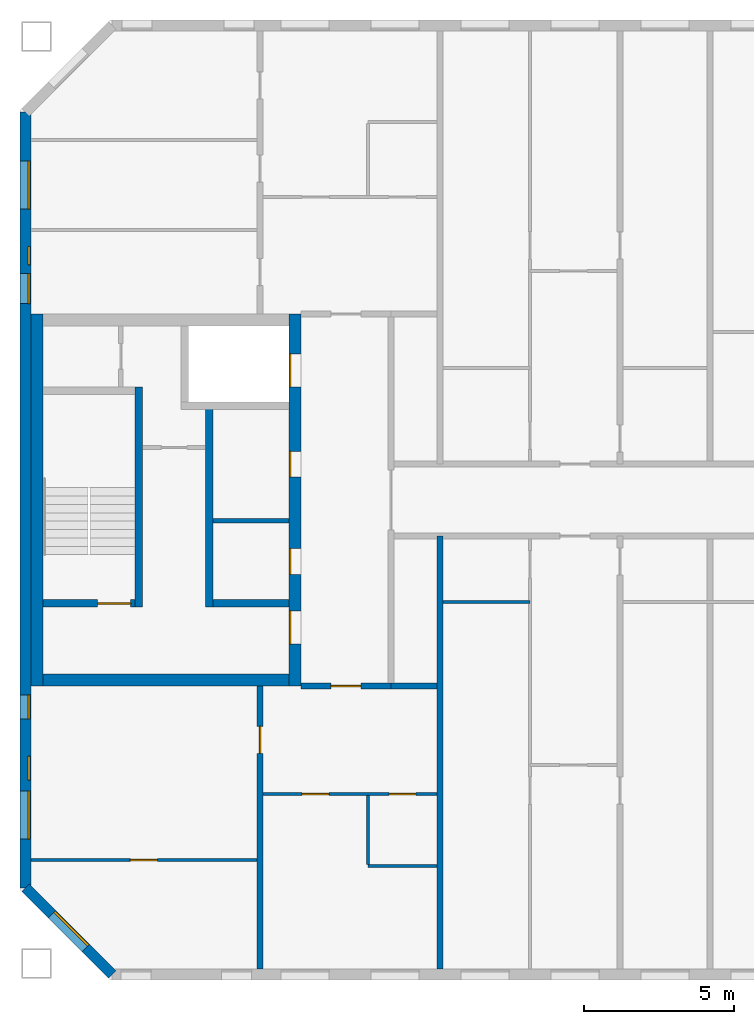
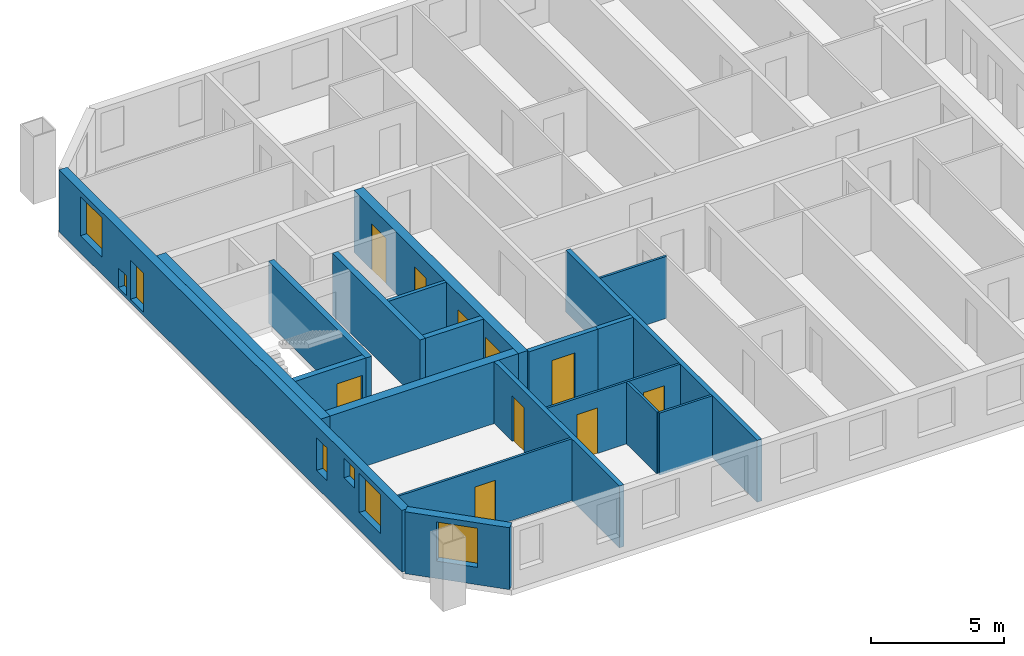
# One storey, part 4 of 19: 19 walls, 10 doors, 7 windows, 17 openings.
"""IFC4 building model written with IfcOpenShell, lengths in metres."""

import ifcopenshell
import ifcopenshell.guid

model = None  # the IFC model being written
_history = None  # IfcOwnerHistory: only IFC2X3 demands one
_inside = {}  # id of a spatial element -> (the spatial element, [elements in it])
_under = {}  # id of a project, library or spatial element -> (it, [spatial elements below it])
_declared = {}  # id of a project -> (the project, [libraries it declares])
_typed = {}  # id of a type object -> (the type object, [elements of that type])
_made_of = {}  # id of a material, layer set ... -> (it, [elements and type objects made of it])


def new_model(schema):
    """Start an empty IFC model of exactly this schema.

    Asked for "IFC4X3", IfcOpenShell would pick the latest addendum, in which some entities
    have other attributes; the version numbers below select the first issue.
    IFC2X3 requires an IfcOwnerHistory on every rooted entity: one is made here for all.
    """
    global model, _history
    if schema == "IFC4X3":
        model = ifcopenshell.file(schema_version=(4, 3, 0, 0))
    else:
        model = ifcopenshell.file(schema=schema)
    _inside.clear()
    _under.clear()
    _declared.clear()
    _typed.clear()
    _made_of.clear()
    _history = None
    if model.schema == "IFC2X3":
        org = make("IfcOrganization", Name="unknown")
        user = make(
            "IfcPersonAndOrganization",
            ThePerson=make("IfcPerson", FamilyName="unknown"),
            TheOrganization=org,
        )
        app = make(
            "IfcApplication",
            ApplicationDeveloper=org,
            Version="unknown",
            ApplicationFullName="unknown",
            ApplicationIdentifier="unknown",
        )
        _history = make(
            "IfcOwnerHistory",
            OwningUser=user,
            OwningApplication=app,
            ChangeAction="ADDED",
            CreationDate=0,
        )
    return model


def make(cls, **values):
    """One entity of the class cls with the attributes given. An attribute that is None is left unset."""
    return model.create_entity(
        cls, **{name: value for name, value in values.items() if value is not None}
    )


def rooted(cls, **values):
    """An entity with a GlobalId (a new one), such as an element, a storey or a relation."""
    return make(cls, GlobalId=ifcopenshell.guid.new(), OwnerHistory=_history, **values)


def si_unit(unit_type, name, prefix=None):
    """IfcSIUnit, for example si_unit("LENGTHUNIT", "METRE", prefix="MILLI")."""
    return make("IfcSIUnit", UnitType=unit_type, Prefix=prefix, Name=name)


def assignment(units):
    """IfcUnitAssignment: the units of a project."""
    return None if units is None else make("IfcUnitAssignment", Units=units)


def point(xyz):
    """IfcCartesianPoint."""
    return None if xyz is None else make("IfcCartesianPoint", Coordinates=xyz)


def direction(xyz):
    """IfcDirection."""
    return None if xyz is None else make("IfcDirection", DirectionRatios=xyz)


def frame(location, z_axis=None, x_axis=None):
    """IfcAxis2Placement3D, a coordinate frame: its origin and axes. An axis left out is left unset."""
    return make(
        "IfcAxis2Placement3D",
        Location=point(location),
        Axis=direction(z_axis),
        RefDirection=direction(x_axis),
    )


def frame_2d(location, x_axis=None):
    """IfcAxis2Placement2D, a coordinate frame in the plane: its origin and x axis."""
    return make(
        "IfcAxis2Placement2D", Location=point(location), RefDirection=direction(x_axis)
    )


def origin():
    """The frame at (0, 0, 0) with its axes left unset."""
    return frame((0.0, 0.0, 0.0))


def place(relative_to, where):
    """IfcLocalPlacement: puts the frame where relative to a parent placement (None: the world)."""
    return make(
        "IfcLocalPlacement", PlacementRelTo=relative_to, RelativePlacement=where
    )


def context(
    kind, dimensions, precision=None, world=None, true_north=None, identifier=None
):
    """IfcGeometricRepresentationContext, for example the 3D "Model" context."""
    return make(
        "IfcGeometricRepresentationContext",
        ContextIdentifier=identifier,
        ContextType=kind,
        CoordinateSpaceDimension=dimensions,
        Precision=precision,
        WorldCoordinateSystem=world,
        TrueNorth=true_north,
    )


def subcontext(parent, identifier, kind, view, scale=None):
    """IfcGeometricRepresentationSubContext, for example "Body" below "Model"."""
    return make(
        "IfcGeometricRepresentationSubContext",
        ContextIdentifier=identifier,
        ContextType=kind,
        ParentContext=parent,
        TargetScale=scale,
        TargetView=view,
    )


def project(units=None, contexts=None):
    """IfcProject with its units and contexts."""
    return rooted(
        "IfcProject",
        Name="project",
        RepresentationContexts=contexts,
        UnitsInContext=assignment(units),
    )


def spatial(cls, under=None, at=None, **own):
    """A site, building, storey or space (cls), placed at a placement, below another one or the project."""
    s = rooted(cls, ObjectPlacement=at, **own)
    if under is not None:
        _under.setdefault(under.id(), (under, []))[1].append(s)
    return s


def profile(cls, at=None, kind="AREA", **sizes):
    """A parametric profile (cls). Its sizes go by their IFC names, for example OverallWidth=200.0."""
    return make(cls, ProfileType=kind, Position=at, **sizes)


def rectangle(**sizes):
    """IfcRectangleProfileDef."""
    return profile("IfcRectangleProfileDef", **sizes)


def extrude(swept, where, along, depth):
    """IfcExtrudedAreaSolid: the profile swept, set in the frame where, extruded along a direction by depth."""
    return make(
        "IfcExtrudedAreaSolid",
        SweptArea=swept,
        Position=where,
        ExtrudedDirection=direction(along),
        Depth=depth,
    )


def shape(context_of_items, identifier, shape_type, items):
    """IfcShapeRepresentation: the items that make up one representation, for example the "Body"."""
    return make(
        "IfcShapeRepresentation",
        ContextOfItems=context_of_items,
        RepresentationIdentifier=identifier,
        RepresentationType=shape_type,
        Items=items,
    )


def material(Name=None, Category=None):
    """IfcMaterial."""
    return make("IfcMaterial", Name=Name, Category=Category)


def layer(
    of_material, thickness, ventilated=None, Name=None, Category=None, Priority=None
):
    """IfcMaterialLayer: one layer of a wall or slab, of a material (None: an air gap)."""
    return make(
        "IfcMaterialLayer",
        Material=of_material,
        LayerThickness=thickness,
        IsVentilated=ventilated,
        Name=Name,
        Category=Category,
        Priority=Priority,
    )


def layer_set(layers, Name=None):
    """IfcMaterialLayerSet."""
    return make("IfcMaterialLayerSet", MaterialLayers=layers, LayerSetName=Name)


def made_of(thing, what):
    """Note that an element or type object is made of a material, layer set ...; save() writes the relation."""
    if what is not None:
        _made_of.setdefault(what.id(), (what, []))[1].append(thing)
    return thing


def type_object(cls, material=None, **own):
    """A type object (cls), such as IfcWallType, which elements share."""
    return made_of(rooted(cls, **own), material)


def element(
    cls,
    number,
    at=None,
    inside=None,
    cuts=None,
    type_object=None,
    material=None,
    context=None,
    identifier="Body",
    shape_type=None,
    held_by="IfcProductDefinitionShape",
    body=None,
    shapes=None,
    **own,
):
    """One element of the class cls, such as IfcWall. Its Tag is "e" and its number.

    at: its placement. inside: the storey or other place that contains it. cuts: it is an
    opening in that element (IfcRelVoidsElement). A single representation is given by context,
    identifier, shape_type and body (its items); several are given by shapes. held_by: the class
    of the entity that holds the representations. save() writes the other relations.
    """
    e = rooted(cls, Tag="e%d" % number, ObjectPlacement=at, **own)
    if body is not None:
        shapes = [shape(context, identifier, shape_type, body)]
    if shapes is not None:
        e.Representation = make(held_by, Representations=shapes)
    if inside is not None:
        _inside.setdefault(inside.id(), (inside, []))[1].append(e)
    if cuts is not None:
        rooted(
            "IfcRelVoidsElement", RelatingBuildingElement=cuts, RelatedOpeningElement=e
        )
    if type_object is not None:
        _typed.setdefault(type_object.id(), (type_object, []))[1].append(e)
    return made_of(e, material)


def fill(opening, filler):
    """IfcRelFillsElement: the door or window that sits in an opening."""
    return rooted(
        "IfcRelFillsElement",
        RelatingOpeningElement=opening,
        RelatedBuildingElement=filler,
    )


def aggregate(whole, parts):
    """IfcRelAggregates: a whole, such as a stair, and the parts it consists of."""
    return rooted("IfcRelAggregates", RelatingObject=whole, RelatedObjects=parts)


def save(model, path):
    """Write the relations noted so far, then the file.

    IfcRelAggregates (storeys below a building ...), IfcRelContainedInSpatialStructure (elements
    in a storey), IfcRelDefinesByType, IfcRelAssociatesMaterial and IfcRelDeclares: one each for
    every whole, place, type object, material and project.
    """
    for whole, parts in _under.values():
        aggregate(whole, parts)
    for where, things in _inside.values():
        rooted(
            "IfcRelContainedInSpatialStructure",
            RelatedElements=things,
            RelatingStructure=where,
        )
    for kind, things in _typed.values():
        rooted("IfcRelDefinesByType", RelatedObjects=things, RelatingType=kind)
    for what, things in _made_of.values():
        rooted("IfcRelAssociatesMaterial", RelatedObjects=things, RelatingMaterial=what)
    for by, libraries in _declared.values():
        rooted("IfcRelDeclares", RelatingContext=by, RelatedDefinitions=libraries)
    model.write(path)


model = new_model("IFC4")

# Units and contexts
model_context = context("Model", 3, precision=1e-05, world=origin(), true_north=direction((0.0, 1.0)))
body_context = subcontext(model_context, "Body", "Model", "MODEL_VIEW")
ifc_project = project(units=[si_unit("LENGTHUNIT", "METRE"), si_unit("AREAUNIT", "SQUARE_METRE"), si_unit("VOLUMEUNIT", "CUBIC_METRE"), si_unit("PLANEANGLEUNIT", "RADIAN"), si_unit("MASSUNIT", "GRAM", prefix="KILO")], contexts=[model_context])

# Site, building, storey
site_placement = place(None, origin())
site = spatial("IfcSite", under=ifc_project, at=site_placement, CompositionType="ELEMENT")
building_placement = place(site_placement, origin())
building = spatial("IfcBuilding", under=site, at=building_placement, Name="Tuart Gate Housing", CompositionType="ELEMENT")
storey_placement = place(building_placement, frame((0.0, 0.0, 209.0)))
storey = spatial("IfcBuildingStorey", under=building, at=storey_placement, Name="L59", CompositionType="ELEMENT", Elevation=209.0)

# Wall, opening, window
ifc_material_1 = material(Name="Brick", Category="masonry")
ifc_layer_1 = layer(ifc_material_1, 0.360107421875)
ifc_layer_set_1 = layer_set([ifc_layer_1], Name="Brick pier and spandrel wall 360")
wall_type_1 = type_object("IfcWallType", Name="Brick pier and spandrel wall 360", PredefinedType="STANDARD", material=ifc_layer_set_1)
wall_1_placement = place(storey_placement, frame((32.179931640625, 57.07470703125, 0.0), z_axis=(0.0, 0.0, 1.0), x_axis=(0.707106781187, -0.707106781187, 0.0)))
wall_1 = element("IfcWall", 1, at=wall_1_placement, inside=storey, type_object=wall_type_1, Name="External wall BLK-SW L59", PredefinedType="STANDARD", context=body_context, shape_type="SweptSolid", body=[
    extrude(rectangle(XDim=4.09375, YDim=0.360107421875, at=frame_2d((2.046875, 0.0))), origin(), (0.0, 0.0, 1.0), 2.85009765625),
])
opening_1_placement = place(wall_1_placement, frame((1.2470703125, 0.0, 0.800048828125)))
opening_1 = element("IfcOpeningElement", 2, at=opening_1_placement, cuts=wall_1, Name="Opening W1", PredefinedType="OPENING", context=body_context, shape_type="SweptSolid", body=[
    extrude(rectangle(XDim=1.60009765625, YDim=1.800048828125, at=frame_2d((0.800048828125, 0.89990234375))), frame((0.0, 0.18994140625, 0.0), z_axis=(0.0, -1.0, 0.0), x_axis=(1.0, 0.0, 0.0)), (0.0, 0.0, 1.0), 0.380126953125),
])
ifc_material_2 = material(Name="Aluminium frame with clear glass", Category="aluminium")
window_type_1 = type_object("IfcWindowType", Name="Punched window 1600 x 1800", PartitioningType="SINGLE_PANEL", PredefinedType="WINDOW", material=ifc_material_2)
window_1_placement = place(opening_1_placement, origin())
window_1 = element("IfcWindow", 3, at=window_1_placement, inside=storey, type_object=window_type_1, Name="Window W1", OverallHeight=1.800048828125, OverallWidth=1.60009765625, PartitioningType="SINGLE_PANEL", PredefinedType="WINDOW", context=body_context, shape_type="SweptSolid", body=[
    extrude(rectangle(XDim=1.60009765625, YDim=1.800048828125, at=frame_2d((0.800048828125, 0.89990234375))), frame((0.0, 0.150146484375, 0.0), z_axis=(0.0, -1.0, 0.0), x_axis=(1.0, 0.0, 0.0)), (0.0, 0.0, 1.0), 0.06005859375),
])
fill(opening_1, window_1)

# Wall, openings, windows
wall_2_placement = place(storey_placement, frame((32.179931640625, 82.92529296875, 0.0), z_axis=(0.0, 0.0, 1.0), x_axis=(0.0, -1.0, 0.0)))
wall_2 = element("IfcWall", 4, at=wall_2_placement, inside=storey, type_object=wall_type_1, Name="External wall BLK-W L59", PredefinedType="STANDARD", context=body_context, shape_type="SweptSolid", body=[
    extrude(rectangle(XDim=25.850830078125, YDim=0.360107421875, at=frame_2d((12.92529296875, 0.0))), origin(), (0.0, 0.0, 1.0), 2.85009765625),
])
opening_2_placement = place(wall_2_placement, frame((1.62548828125, 0.0, 0.800048828125)))
opening_2 = element("IfcOpeningElement", 5, at=opening_2_placement, cuts=wall_2, Name="Opening W1", PredefinedType="OPENING", context=body_context, shape_type="SweptSolid", body=[
    extrude(rectangle(XDim=1.60009765625, YDim=1.800048828125, at=frame_2d((0.800048828125, 0.89990234375))), frame((0.0, 0.18994140625, 0.0), z_axis=(0.0, -1.0, 0.0), x_axis=(1.0, 0.0, 0.0)), (0.0, 0.0, 1.0), 0.380126953125),
])
opening_3_placement = place(wall_2_placement, frame((4.475341796875, 0.0, 0.14990234375)))
opening_3 = element("IfcOpeningElement", 6, at=opening_3_placement, cuts=wall_2, Name="Opening W1W", PredefinedType="OPENING", context=body_context, shape_type="SweptSolid", body=[
    extrude(rectangle(XDim=0.60009765625, YDim=0.89990234375, at=frame_2d((0.300048828125, 0.449951171875))), frame((0.0, 0.18994140625, 0.0), z_axis=(0.0, -1.0, 0.0), x_axis=(1.0, 0.0, 0.0)), (0.0, 0.0, 1.0), 0.380126953125),
])
opening_4_placement = place(wall_2_placement, frame((19.42529296875, 0.0, 0.800048828125)))
opening_4 = element("IfcOpeningElement", 7, at=opening_4_placement, cuts=wall_2, Name="Opening W1J", PredefinedType="OPENING", context=body_context, shape_type="SweptSolid", body=[
    extrude(rectangle(XDim=0.800048828125, YDim=1.5, at=frame_2d((0.39990234375, 0.75))), frame((0.0, 0.18994140625, 0.0), z_axis=(0.0, -1.0, 0.0), x_axis=(1.0, 0.0, 0.0)), (0.0, 0.0, 1.0), 0.380126953125),
])
opening_5_placement = place(wall_2_placement, frame((22.62548828125, 0.0, 0.800048828125)))
opening_5 = element("IfcOpeningElement", 8, at=opening_5_placement, cuts=wall_2, Name="Opening W1", PredefinedType="OPENING", context=body_context, shape_type="SweptSolid", body=[
    extrude(rectangle(XDim=1.60009765625, YDim=1.800048828125, at=frame_2d((0.800048828125, 0.89990234375))), frame((0.0, 0.18994140625, 0.0), z_axis=(0.0, -1.0, 0.0), x_axis=(1.0, 0.0, 0.0)), (0.0, 0.0, 1.0), 0.380126953125),
])
opening_6_placement = place(wall_2_placement, frame((5.37548828125, 0.0, 0.14990234375)))
opening_6 = element("IfcOpeningElement", 9, at=opening_6_placement, cuts=wall_2, Name="Opening W1C", PredefinedType="OPENING", context=body_context, shape_type="SweptSolid", body=[
    extrude(rectangle(XDim=1.0, YDim=1.800048828125, at=frame_2d((0.5, 0.89990234375))), frame((0.0, 0.18994140625, 0.0), z_axis=(0.0, -1.0, 0.0), x_axis=(1.0, 0.0, 0.0)), (0.0, 0.0, 1.0), 0.380126953125),
])
opening_7_placement = place(wall_2_placement, frame((21.475341796875, 0.0, 1.699951171875)))
opening_7 = element("IfcOpeningElement", 10, at=opening_7_placement, cuts=wall_2, Name="Opening W1V", PredefinedType="OPENING", context=body_context, shape_type="SweptSolid", body=[
    extrude(rectangle(XDim=0.800048828125, YDim=0.89990234375, at=frame_2d((0.39990234375, 0.449951171875))), frame((0.0, 0.18994140625, 0.0), z_axis=(0.0, -1.0, 0.0), x_axis=(1.0, 0.0, 0.0)), (0.0, 0.0, 1.0), 0.380126953125),
])
ifc_material_3 = material(Name="Aluminium frame with clear glass", Category="aluminium")
window_type_2 = type_object("IfcWindowType", Name="Punched window 1000 x 1800", PartitioningType="SINGLE_PANEL", PredefinedType="WINDOW", material=ifc_material_3)
window_2_placement = place(opening_6_placement, origin())
window_2 = element("IfcWindow", 11, at=window_2_placement, inside=storey, type_object=window_type_2, Name="Window W1C", OverallHeight=1.800048828125, OverallWidth=1.0, PartitioningType="SINGLE_PANEL", PredefinedType="WINDOW", context=body_context, shape_type="SweptSolid", body=[
    extrude(rectangle(XDim=1.0, YDim=1.800048828125, at=frame_2d((0.5, 0.89990234375))), frame((0.0, 0.150146484375, 0.0), z_axis=(0.0, -1.0, 0.0), x_axis=(1.0, 0.0, 0.0)), (0.0, 0.0, 1.0), 0.06005859375),
])
fill(opening_6, window_2)
window_3_placement = place(opening_2_placement, origin())
window_3 = element("IfcWindow", 12, at=window_3_placement, inside=storey, type_object=window_type_1, Name="Window W1", OverallHeight=1.800048828125, OverallWidth=1.60009765625, PartitioningType="SINGLE_PANEL", PredefinedType="WINDOW", context=body_context, shape_type="SweptSolid", body=[
    extrude(rectangle(XDim=1.60009765625, YDim=1.800048828125, at=frame_2d((0.800048828125, 0.89990234375))), frame((0.0, 0.150146484375, 0.0), z_axis=(0.0, -1.0, 0.0), x_axis=(1.0, 0.0, 0.0)), (0.0, 0.0, 1.0), 0.06005859375),
])
fill(opening_2, window_3)
window_4_placement = place(opening_5_placement, origin())
window_4 = element("IfcWindow", 13, at=window_4_placement, inside=storey, type_object=window_type_1, Name="Window W1", OverallHeight=1.800048828125, OverallWidth=1.60009765625, PartitioningType="SINGLE_PANEL", PredefinedType="WINDOW", context=body_context, shape_type="SweptSolid", body=[
    extrude(rectangle(XDim=1.60009765625, YDim=1.800048828125, at=frame_2d((0.800048828125, 0.89990234375))), frame((0.0, 0.150146484375, 0.0), z_axis=(0.0, -1.0, 0.0), x_axis=(1.0, 0.0, 0.0)), (0.0, 0.0, 1.0), 0.06005859375),
])
fill(opening_5, window_4)
ifc_material_4 = material(Name="Aluminium frame with clear glass", Category="aluminium")
window_type_3 = type_object("IfcWindowType", Name="Punched window 600 x 900", PartitioningType="SINGLE_PANEL", PredefinedType="WINDOW", material=ifc_material_4)
window_5_placement = place(opening_3_placement, origin())
window_5 = element("IfcWindow", 14, at=window_5_placement, inside=storey, type_object=window_type_3, Name="Window W1W", OverallHeight=0.89990234375, OverallWidth=0.60009765625, PartitioningType="SINGLE_PANEL", PredefinedType="WINDOW", context=body_context, shape_type="SweptSolid", body=[
    extrude(rectangle(XDim=0.60009765625, YDim=0.89990234375, at=frame_2d((0.300048828125, 0.449951171875))), frame((0.0, 0.150146484375, 0.0), z_axis=(0.0, -1.0, 0.0), x_axis=(1.0, 0.0, 0.0)), (0.0, 0.0, 1.0), 0.06005859375),
])
fill(opening_3, window_5)
ifc_material_5 = material(Name="Aluminium frame with clear glass", Category="aluminium")
window_type_4 = type_object("IfcWindowType", Name="Punched window 800 x 1500", PartitioningType="SINGLE_PANEL", PredefinedType="WINDOW", material=ifc_material_5)
window_6_placement = place(opening_4_placement, origin())
window_6 = element("IfcWindow", 15, at=window_6_placement, inside=storey, type_object=window_type_4, Name="Window W1J", OverallHeight=1.5, OverallWidth=0.800048828125, PartitioningType="SINGLE_PANEL", PredefinedType="WINDOW", context=body_context, shape_type="SweptSolid", body=[
    extrude(rectangle(XDim=0.800048828125, YDim=1.5, at=frame_2d((0.39990234375, 0.75))), frame((0.0, 0.150146484375, 0.0), z_axis=(0.0, -1.0, 0.0), x_axis=(1.0, 0.0, 0.0)), (0.0, 0.0, 1.0), 0.06005859375),
])
fill(opening_4, window_6)
ifc_material_6 = material(Name="Aluminium frame with clear glass", Category="aluminium")
window_type_5 = type_object("IfcWindowType", Name="Punched window 800 x 900", PartitioningType="SINGLE_PANEL", PredefinedType="WINDOW", material=ifc_material_6)
window_7_placement = place(opening_7_placement, origin())
window_7 = element("IfcWindow", 16, at=window_7_placement, inside=storey, type_object=window_type_5, Name="Window W1V", OverallHeight=0.89990234375, OverallWidth=0.800048828125, PartitioningType="SINGLE_PANEL", PredefinedType="WINDOW", context=body_context, shape_type="SweptSolid", body=[
    extrude(rectangle(XDim=0.800048828125, YDim=0.89990234375, at=frame_2d((0.39990234375, 0.449951171875))), frame((0.0, 0.150146484375, 0.0), z_axis=(0.0, -1.0, 0.0), x_axis=(1.0, 0.0, 0.0)), (0.0, 0.0, 1.0), 0.06005859375),
])
fill(opening_7, window_7)

# Walls
ifc_material_7 = material(Name="Plasterboard partition")
ifc_layer_2 = layer(ifc_material_7, 0.14990234375)
ifc_layer_set_2 = layer_set([ifc_layer_2], Name="Core partition 150")
wall_type_2 = type_object("IfcWallType", Name="Core partition 150", PredefinedType="PARTITIONING", material=ifc_layer_set_2)
wall_3_placement = place(storey_placement, frame((40.9599609375, 69.300048828125, 0.0), z_axis=(0.0, 0.0, 1.0), x_axis=(-1.0, 0.0, 0.0)))
element("IfcWall", 17, at=wall_3_placement, inside=storey, type_object=wall_type_2, Name="Core partition AK.4", PredefinedType="PARTITIONING", context=body_context, shape_type="SweptSolid", body=[
    extrude(rectangle(XDim=2.52490234375, YDim=0.14990234375, at=frame_2d((1.262451171875, 0.0))), origin(), (0.0, 0.0, 1.0), 2.85009765625),
])
ifc_material_8 = material(Name="Concrete C40", Category="concrete")
ifc_layer_3 = layer(ifc_material_8, 0.25)
ifc_layer_set_3 = layer_set([ifc_layer_3], Name="Core wall 250 C40")
wall_type_3 = type_object("IfcWallType", Name="Core wall 250 C40", PredefinedType="SHEAR", material=ifc_layer_set_3)
wall_4_placement = place(storey_placement, frame((40.9599609375, 66.550048828125, 0.0), z_axis=(0.0, 0.0, 1.0), x_axis=(-1.0, 0.0, 0.0)))
element("IfcWall", 18, at=wall_4_placement, inside=storey, type_object=wall_type_3, Name="Core wall AK.5", PredefinedType="SHEAR", context=body_context, shape_type="SweptSolid", body=[
    extrude(rectangle(XDim=2.52490234375, YDim=0.25, at=frame_2d((1.262451171875, 0.0))), origin(), (0.0, 0.0, 1.0), 2.85009765625),
])

# Wall, opening, door
wall_5_placement = place(storey_placement, frame((35.8349609375, 66.550048828125, 0.0), z_axis=(0.0, 0.0, 1.0), x_axis=(-1.0, 0.0, 0.0)))
wall_5 = element("IfcWall", 19, at=wall_5_placement, inside=storey, type_object=wall_type_3, Name="Core wall AK.6", PredefinedType="SHEAR", context=body_context, shape_type="SweptSolid", body=[
    extrude(rectangle(XDim=3.074951171875, YDim=0.25, at=frame_2d((1.53759765625, 0.0))), origin(), (0.0, 0.0, 1.0), 2.85009765625),
])
opening_8_placement = place(wall_5_placement, frame((0.14990234375, 0.0, 0.0)))
opening_8 = element("IfcOpeningElement", 20, at=opening_8_placement, cuts=wall_5, Name="Opening D2145", PredefinedType="OPENING", context=body_context, shape_type="SweptSolid", body=[
    extrude(rectangle(XDim=1.10009765625, YDim=2.10009765625, at=frame_2d((0.550048828125, 1.050048828125))), frame((0.0, 0.135009765625, 0.0), z_axis=(0.0, -1.0, 0.0), x_axis=(1.0, 0.0, 0.0)), (0.0, 0.0, 1.0), 0.27001953125),
])
ifc_material_9 = material(Name="Steel fire door", Category="steel")
door_type_1 = type_object("IfcDoorType", Name="Stair door 1100 x 2100 RH", OperationType="SINGLE_SWING_RIGHT", PredefinedType="DOOR", material=ifc_material_9)
door_1_placement = place(opening_8_placement, frame((1.10009765625, 0.0, 0.0), z_axis=(0.0, 0.0, 1.0), x_axis=(-1.0, 0.0, 0.0)))
door_1 = element("IfcDoor", 21, at=door_1_placement, inside=storey, type_object=door_type_1, Name="Stair door AK.SD", OperationType="SINGLE_SWING_RIGHT", OverallHeight=2.10009765625, OverallWidth=1.10009765625, PredefinedType="DOOR", context=body_context, shape_type="SweptSolid", body=[
    extrude(rectangle(XDim=1.10009765625, YDim=2.10009765625, at=frame_2d((0.550048828125, 1.050048828125))), frame((0.0, 0.025146484375, 0.0), z_axis=(0.0, -1.0, 0.0), x_axis=(1.0, 0.0, 0.0)), (0.0, 0.0, 1.0), 0.050048828125),
])
fill(opening_8, door_1)

# Walls
wall_6_placement = place(storey_placement, frame((38.31005859375, 73.02490234375, 0.0), z_axis=(0.0, 0.0, 1.0), x_axis=(0.0, -1.0, 0.0)))
element("IfcWall", 22, at=wall_6_placement, inside=storey, type_object=wall_type_3, Name="Core wall AK.7", PredefinedType="SHEAR", context=body_context, shape_type="SweptSolid", body=[
    extrude(rectangle(XDim=6.599853515625, YDim=0.25, at=frame_2d((3.2998046875, 0.0))), origin(), (0.0, 0.0, 1.0), 2.85009765625),
])
wall_7_placement = place(storey_placement, frame((35.9599609375, 73.77490234375, 0.0), z_axis=(0.0, 0.0, 1.0), x_axis=(0.0, -1.0, 0.0)))
element("IfcWall", 23, at=wall_7_placement, inside=storey, type_object=wall_type_3, Name="Core wall AK.9", PredefinedType="SHEAR", context=body_context, shape_type="SweptSolid", body=[
    extrude(rectangle(XDim=7.349853515625, YDim=0.25, at=frame_2d((3.6748046875, 0.0))), origin(), (0.0, 0.0, 1.0), 2.85009765625),
])

# Wall, openings, doors
ifc_material_10 = material(Name="Concrete C40", Category="concrete")
ifc_layer_4 = layer(ifc_material_10, 0.39990234375)
ifc_layer_set_4 = layer_set([ifc_layer_4], Name="Core wall 400 C40")
wall_type_4 = type_object("IfcWallType", Name="Core wall 400 C40", PredefinedType="SHEAR", material=ifc_layer_set_4)
wall_8_placement = place(storey_placement, frame((41.159912109375, 76.199951171875, 0.0), z_axis=(0.0, 0.0, 1.0), x_axis=(0.0, -1.0, 0.0)))
wall_8 = element("IfcWall", 24, at=wall_8_placement, inside=storey, type_object=wall_type_4, Name="Core wall AK front", PredefinedType="SHEAR", context=body_context, shape_type="SweptSolid", body=[
    extrude(rectangle(XDim=12.39990234375, YDim=0.39990234375, at=frame_2d((6.199951171875, 0.0))), origin(), (0.0, 0.0, 1.0), 2.85009765625),
])
opening_9_placement = place(wall_8_placement, frame((1.324951171875, 0.0, 0.0)))
opening_9 = element("IfcOpeningElement", 25, at=opening_9_placement, cuts=wall_8, Name="Opening LD-FA2", PredefinedType="OPENING", context=body_context, shape_type="SweptSolid", body=[
    extrude(rectangle(XDim=1.10009765625, YDim=2.10009765625, at=frame_2d((0.550048828125, 1.050048828125))), frame((0.0, 0.2099609375, 0.0), z_axis=(0.0, -1.0, 0.0), x_axis=(1.0, 0.0, 0.0)), (0.0, 0.0, 1.0), 0.419921875),
])
opening_10_placement = place(wall_8_placement, frame((4.574951171875, 0.0, 0.0)))
opening_10 = element("IfcOpeningElement", 26, at=opening_10_placement, cuts=wall_8, Name="Opening D2136", PredefinedType="OPENING", context=body_context, shape_type="SweptSolid", body=[
    extrude(rectangle(XDim=0.85009765625, YDim=2.10009765625, at=frame_2d((0.425048828125, 1.050048828125))), frame((0.0, 0.2099609375, 0.0), z_axis=(0.0, -1.0, 0.0), x_axis=(1.0, 0.0, 0.0)), (0.0, 0.0, 1.0), 0.419921875),
])
opening_11_placement = place(wall_8_placement, frame((7.824951171875, 0.0, 0.0)))
opening_11 = element("IfcOpeningElement", 27, at=opening_11_placement, cuts=wall_8, Name="Opening D2137", PredefinedType="OPENING", context=body_context, shape_type="SweptSolid", body=[
    extrude(rectangle(XDim=0.85009765625, YDim=2.10009765625, at=frame_2d((0.425048828125, 1.050048828125))), frame((0.0, 0.2099609375, 0.0), z_axis=(0.0, -1.0, 0.0), x_axis=(1.0, 0.0, 0.0)), (0.0, 0.0, 1.0), 0.419921875),
])
opening_12_placement = place(wall_8_placement, frame((9.89990234375, 0.0, 0.0)))
opening_12 = element("IfcOpeningElement", 28, at=opening_12_placement, cuts=wall_8, Name="Opening D2135", PredefinedType="OPENING", context=body_context, shape_type="SweptSolid", body=[
    extrude(rectangle(XDim=1.10009765625, YDim=2.10009765625, at=frame_2d((0.550048828125, 1.050048828125))), frame((0.0, 0.2099609375, 0.0), z_axis=(0.0, -1.0, 0.0), x_axis=(1.0, 0.0, 0.0)), (0.0, 0.0, 1.0), 0.419921875),
])
ifc_material_11 = material(Name="Stainless steel", Category="steel")
door_type_2 = type_object("IfcDoorType", Name="Landing door 1100 x 2100", OperationType="DOUBLE_DOOR_SLIDING", PredefinedType="DOOR", material=ifc_material_11)
door_2_placement = place(opening_9_placement, origin())
door_2 = element("IfcDoor", 29, at=door_2_placement, inside=storey, type_object=door_type_2, Name="Lift landing door FA2", OperationType="DOUBLE_DOOR_SLIDING", OverallHeight=2.10009765625, OverallWidth=1.10009765625, PredefinedType="DOOR", context=body_context, shape_type="SweptSolid", body=[
    extrude(rectangle(XDim=1.10009765625, YDim=2.10009765625, at=frame_2d((0.550048828125, 1.050048828125))), frame((0.0, -0.134765625, 0.0), z_axis=(0.0, -1.0, 0.0), x_axis=(1.0, 0.0, 0.0)), (0.0, 0.0, 1.0), 0.050048828125),
])
fill(opening_9, door_2)
ifc_material_12 = material(Name="Steel fire door", Category="steel")
door_type_3 = type_object("IfcDoorType", Name="Lobby door 1100 x 2100 RH", OperationType="SINGLE_SWING_RIGHT", PredefinedType="DOOR", material=ifc_material_12)
door_3_placement = place(opening_12_placement, frame((1.10009765625, 0.0, 0.0), z_axis=(0.0, 0.0, 1.0), x_axis=(-1.0, 0.0, 0.0)))
door_3 = element("IfcDoor", 30, at=door_3_placement, inside=storey, type_object=door_type_3, Name="Lobby entry door AK.EN", OperationType="SINGLE_SWING_RIGHT", OverallHeight=2.10009765625, OverallWidth=1.10009765625, PredefinedType="DOOR", context=body_context, shape_type="SweptSolid", body=[
    extrude(rectangle(XDim=1.10009765625, YDim=2.10009765625, at=frame_2d((0.550048828125, 1.050048828125))), frame((0.0, 0.184814453125, 0.0), z_axis=(0.0, -1.0, 0.0), x_axis=(1.0, 0.0, 0.0)), (0.0, 0.0, 1.0), 0.050048828125),
])
fill(opening_12, door_3)
ifc_material_13 = material(Name="Steel fire door", Category="steel")
door_type_4 = type_object("IfcDoorType", Name="Service door 850 x 2100 RH", OperationType="SINGLE_SWING_RIGHT", PredefinedType="DOOR", material=ifc_material_13)
door_4_placement = place(opening_10_placement, frame((0.85009765625, 0.0, 0.0), z_axis=(0.0, 0.0, 1.0), x_axis=(-1.0, 0.0, 0.0)))
door_4 = element("IfcDoor", 31, at=door_4_placement, inside=storey, type_object=door_type_4, Name="Service room door AK.FR1", OperationType="SINGLE_SWING_RIGHT", OverallHeight=2.10009765625, OverallWidth=0.85009765625, PredefinedType="DOOR", context=body_context, shape_type="SweptSolid", body=[
    extrude(rectangle(XDim=0.85009765625, YDim=2.10009765625, at=frame_2d((0.425048828125, 1.050048828125))), frame((0.0, 0.184814453125, 0.0), z_axis=(0.0, -1.0, 0.0), x_axis=(1.0, 0.0, 0.0)), (0.0, 0.0, 1.0), 0.050048828125),
])
fill(opening_10, door_4)
door_5_placement = place(opening_11_placement, frame((0.85009765625, 0.0, 0.0), z_axis=(0.0, 0.0, 1.0), x_axis=(-1.0, 0.0, 0.0)))
door_5 = element("IfcDoor", 32, at=door_5_placement, inside=storey, type_object=door_type_4, Name="Service room door AK.FR2", OperationType="SINGLE_SWING_RIGHT", OverallHeight=2.10009765625, OverallWidth=0.85009765625, PredefinedType="DOOR", context=body_context, shape_type="SweptSolid", body=[
    extrude(rectangle(XDim=0.85009765625, YDim=2.10009765625, at=frame_2d((0.425048828125, 1.050048828125))), frame((0.0, 0.184814453125, 0.0), z_axis=(0.0, -1.0, 0.0), x_axis=(1.0, 0.0, 0.0)), (0.0, 0.0, 1.0), 0.050048828125),
])
fill(opening_11, door_5)

# Walls
wall_9_placement = place(storey_placement, frame((32.56005859375, 76.199951171875, 0.0), z_axis=(0.0, 0.0, 1.0), x_axis=(0.0, -1.0, 0.0)))
element("IfcWall", 33, at=wall_9_placement, inside=storey, type_object=wall_type_4, Name="Core wall AK back", PredefinedType="SHEAR", context=body_context, shape_type="SweptSolid", body=[
    extrude(rectangle(XDim=12.39990234375, YDim=0.39990234375, at=frame_2d((6.199951171875, 0.0))), origin(), (0.0, 0.0, 1.0), 2.85009765625),
])
wall_10_placement = place(storey_placement, frame((40.9599609375, 64.0, 0.0), z_axis=(0.0, 0.0, 1.0), x_axis=(-1.0, 0.0, 0.0)))
element("IfcWall", 34, at=wall_10_placement, inside=storey, type_object=wall_type_4, Name="Core wall AK north", PredefinedType="SHEAR", context=body_context, shape_type="SweptSolid", body=[
    extrude(rectangle(XDim=8.199951171875, YDim=0.39990234375, at=frame_2d((4.10009765625, 0.0))), origin(), (0.0, 0.0, 1.0), 2.85009765625),
])

# Wall, opening, door
ifc_material_14 = material(Name="Concrete masonry 15 MPa", Category="masonry")
ifc_layer_5 = layer(ifc_material_14, 0.199951171875)
ifc_layer_set_5 = layer_set([ifc_layer_5], Name="Enclosure wall masonry 200")
wall_type_5 = type_object("IfcWallType", Name="Enclosure wall masonry 200", PredefinedType="PARTITIONING", material=ifc_layer_set_5)
wall_11_placement = place(storey_placement, frame((41.360107421875, 63.800048828125, 0.0), z_axis=(0.0, 0.0, 1.0), x_axis=(1.0, 0.0, 0.0)))
wall_11 = element("IfcWall", 35, at=wall_11_placement, inside=storey, type_object=wall_type_5, Name="Enclosure wall masonry 200", PredefinedType="PARTITIONING", context=body_context, shape_type="SweptSolid", body=[
    extrude(rectangle(XDim=3.0, YDim=0.199951171875, at=frame_2d((1.5, 0.0))), origin(), (0.0, 0.0, 1.0), 2.85009765625),
])
opening_13_placement = place(wall_11_placement, frame((1.0, 0.0, 0.0)))
opening_13 = element("IfcOpeningElement", 36, at=opening_13_placement, cuts=wall_11, Name="Opening D2146", PredefinedType="OPENING", context=body_context, shape_type="SweptSolid", body=[
    extrude(rectangle(XDim=1.0, YDim=2.10009765625, at=frame_2d((0.5, 1.050048828125))), frame((0.0, 0.10986328125, 0.0), z_axis=(0.0, -1.0, 0.0), x_axis=(1.0, 0.0, 0.0)), (0.0, 0.0, 1.0), 0.219970703125),
])
ifc_material_15 = material(Name="Timber door leaf in steel frame", Category="steel")
door_type_5 = type_object("IfcDoorType", Name="Flat entrance door 1000 RH", OperationType="SINGLE_SWING_RIGHT", PredefinedType="DOOR", material=ifc_material_15)
door_6_placement = place(opening_13_placement, frame((1.0, 0.0, 0.0), z_axis=(0.0, 0.0, 1.0), x_axis=(-1.0, 0.0, 0.0)))
door_6 = element("IfcDoor", 37, at=door_6_placement, inside=storey, type_object=door_type_5, Name="Flat entrance door", OperationType="SINGLE_SWING_RIGHT", OverallHeight=2.10009765625, OverallWidth=1.0, PredefinedType="DOOR", context=body_context, shape_type="SweptSolid", body=[
    extrude(rectangle(XDim=1.0, YDim=2.10009765625, at=frame_2d((0.5, 1.050048828125))), frame((0.0, 0.025146484375, 0.0), z_axis=(0.0, -1.0, 0.0), x_axis=(1.0, 0.0, 0.0)), (0.0, 0.0, 1.0), 0.050048828125),
])
fill(opening_13, door_6)

# Wall
ifc_material_16 = material(Name="Gypsum board on steel studs", Category="steel")
ifc_layer_6 = layer(ifc_material_16, 0.10009765625)
ifc_layer_set_6 = layer_set([ifc_layer_6], Name="Partition 100")
wall_type_6 = type_object("IfcWallType", Name="Partition 100", PredefinedType="PARTITIONING", material=ifc_layer_set_6)
wall_12_placement = place(storey_placement, frame((43.60009765625, 57.800048828125, 0.0), z_axis=(0.0, 0.0, 1.0), x_axis=(1.0, 0.0, 0.0)))
element("IfcWall", 38, at=wall_12_placement, inside=storey, type_object=wall_type_6, Name="Partition 100", PredefinedType="PARTITIONING", context=body_context, shape_type="SweptSolid", body=[
    extrude(rectangle(XDim=2.2998046875, YDim=0.10009765625, at=frame_2d((1.14990234375, 0.0))), origin(), (0.0, 0.0, 1.0), 2.85009765625),
])

# Wall, opening, door
wall_13_placement = place(storey_placement, frame((32.360107421875, 58.0, 0.0), z_axis=(0.0, 0.0, 1.0), x_axis=(1.0, 0.0, 0.0)))
wall_13 = element("IfcWall", 39, at=wall_13_placement, inside=storey, type_object=wall_type_6, Name="Partition 100", PredefinedType="PARTITIONING", context=body_context, shape_type="SweptSolid", body=[
    extrude(rectangle(XDim=7.539794921875, YDim=0.10009765625, at=frame_2d((3.77001953125, 0.0))), origin(), (0.0, 0.0, 1.0), 2.85009765625),
])
opening_14_placement = place(wall_13_placement, frame((3.320068359375, 0.0, 0.0)))
opening_14 = element("IfcOpeningElement", 40, at=opening_14_placement, cuts=wall_13, Name="Opening D2165", PredefinedType="OPENING", context=body_context, shape_type="SweptSolid", body=[
    extrude(rectangle(XDim=0.89990234375, YDim=2.10009765625, at=frame_2d((0.449951171875, 1.050048828125))), frame((0.0, 0.06005859375, 0.0), z_axis=(0.0, -1.0, 0.0), x_axis=(1.0, 0.0, 0.0)), (0.0, 0.0, 1.0), 0.1201171875),
])
ifc_material_17 = material(Name="Timber door leaf in steel frame", Category="steel")
door_type_6 = type_object("IfcDoorType", Name="Internal door 900 RH", OperationType="SINGLE_SWING_RIGHT", PredefinedType="DOOR", material=ifc_material_17)
door_7_placement = place(opening_14_placement, frame((0.89990234375, 0.0, 0.0), z_axis=(0.0, 0.0, 1.0), x_axis=(-1.0, 0.0, 0.0)))
door_7 = element("IfcDoor", 41, at=door_7_placement, inside=storey, type_object=door_type_6, Name="Internal door", OperationType="SINGLE_SWING_RIGHT", OverallHeight=2.10009765625, OverallWidth=0.89990234375, PredefinedType="DOOR", context=body_context, shape_type="SweptSolid", body=[
    extrude(rectangle(XDim=0.89990234375, YDim=2.10009765625, at=frame_2d((0.449951171875, 1.050048828125))), frame((0.0, 0.025146484375, 0.0), z_axis=(0.0, -1.0, 0.0), x_axis=(1.0, 0.0, 0.0)), (0.0, 0.0, 1.0), 0.050048828125),
])
fill(opening_14, door_7)

# Wall, openings, doors
wall_14_placement = place(storey_placement, frame((40.10009765625, 60.199951171875, 0.0), z_axis=(0.0, 0.0, 1.0), x_axis=(1.0, 0.0, 0.0)))
wall_14 = element("IfcWall", 42, at=wall_14_placement, inside=storey, type_object=wall_type_6, Name="Partition 100", PredefinedType="PARTITIONING", context=body_context, shape_type="SweptSolid", body=[
    extrude(rectangle(XDim=5.7998046875, YDim=0.10009765625, at=frame_2d((2.89990234375, 0.0))), origin(), (0.0, 0.0, 1.0), 2.85009765625),
])
opening_15_placement = place(wall_14_placement, frame((1.300048828125, 0.0, 0.0)))
opening_15 = element("IfcOpeningElement", 43, at=opening_15_placement, cuts=wall_14, Name="Opening D2158", PredefinedType="OPENING", context=body_context, shape_type="SweptSolid", body=[
    extrude(rectangle(XDim=0.89990234375, YDim=2.10009765625, at=frame_2d((0.449951171875, 1.050048828125))), frame((0.0, 0.06005859375, 0.0), z_axis=(0.0, -1.0, 0.0), x_axis=(1.0, 0.0, 0.0)), (0.0, 0.0, 1.0), 0.1201171875),
])
opening_16_placement = place(wall_14_placement, frame((4.199951171875, 0.0, 0.0)))
opening_16 = element("IfcOpeningElement", 44, at=opening_16_placement, cuts=wall_14, Name="Opening D2157", PredefinedType="OPENING", context=body_context, shape_type="SweptSolid", body=[
    extrude(rectangle(XDim=0.89990234375, YDim=2.10009765625, at=frame_2d((0.449951171875, 1.050048828125))), frame((0.0, 0.06005859375, 0.0), z_axis=(0.0, -1.0, 0.0), x_axis=(1.0, 0.0, 0.0)), (0.0, 0.0, 1.0), 0.1201171875),
])
ifc_material_18 = material(Name="Timber door leaf in steel frame", Category="steel")
door_type_7 = type_object("IfcDoorType", Name="Bathroom door 900 RH", OperationType="SINGLE_SWING_RIGHT", PredefinedType="DOOR", material=ifc_material_18)
door_8_placement = place(opening_16_placement, frame((0.89990234375, 0.0, 0.0), z_axis=(0.0, 0.0, 1.0), x_axis=(-1.0, 0.0, 0.0)))
door_8 = element("IfcDoor", 45, at=door_8_placement, inside=storey, type_object=door_type_7, Name="Bathroom door", OperationType="SINGLE_SWING_RIGHT", OverallHeight=2.10009765625, OverallWidth=0.89990234375, PredefinedType="DOOR", context=body_context, shape_type="SweptSolid", body=[
    extrude(rectangle(XDim=0.89990234375, YDim=2.10009765625, at=frame_2d((0.449951171875, 1.050048828125))), frame((0.0, 0.025146484375, 0.0), z_axis=(0.0, -1.0, 0.0), x_axis=(1.0, 0.0, 0.0)), (0.0, 0.0, 1.0), 0.050048828125),
])
fill(opening_16, door_8)
ifc_material_19 = material(Name="Timber door leaf in steel frame", Category="steel")
door_type_8 = type_object("IfcDoorType", Name="Internal door 900", OperationType="SINGLE_SWING_LEFT", PredefinedType="DOOR", material=ifc_material_19)
door_9_placement = place(opening_15_placement, frame((0.89990234375, 0.0, 0.0), z_axis=(0.0, 0.0, 1.0), x_axis=(-1.0, 0.0, 0.0)))
door_9 = element("IfcDoor", 46, at=door_9_placement, inside=storey, type_object=door_type_8, Name="Internal door", OperationType="SINGLE_SWING_LEFT", OverallHeight=2.10009765625, OverallWidth=0.89990234375, PredefinedType="DOOR", context=body_context, shape_type="SweptSolid", body=[
    extrude(rectangle(XDim=0.89990234375, YDim=2.10009765625, at=frame_2d((0.449951171875, 1.050048828125))), frame((0.0, 0.025146484375, 0.0), z_axis=(0.0, -1.0, 0.0), x_axis=(1.0, 0.0, 0.0)), (0.0, 0.0, 1.0), 0.050048828125),
])
fill(opening_15, door_9)

# Walls
wall_15_placement = place(storey_placement, frame((46.10009765625, 66.60009765625, 0.0), z_axis=(0.0, 0.0, 1.0), x_axis=(1.0, 0.0, 0.0)))
element("IfcWall", 47, at=wall_15_placement, inside=storey, type_object=wall_type_6, Name="Partition 100", PredefinedType="PARTITIONING", context=body_context, shape_type="SweptSolid", body=[
    extrude(rectangle(XDim=2.89990234375, YDim=0.10009765625, at=frame_2d((1.449951171875, 0.0))), origin(), (0.0, 0.0, 1.0), 2.85009765625),
])
wall_16_placement = place(storey_placement, frame((43.60009765625, 57.85009765625, 0.0), z_axis=(0.0, 0.0, 1.0), x_axis=(0.0, 1.0, 0.0)))
element("IfcWall", 48, at=wall_16_placement, inside=storey, type_object=wall_type_6, Name="Partition 100", PredefinedType="PARTITIONING", context=body_context, shape_type="SweptSolid", body=[
    extrude(rectangle(XDim=2.2998046875, YDim=0.10009765625, at=frame_2d((1.14990234375, 0.0))), origin(), (0.0, 0.0, 1.0), 2.85009765625),
])

# Wall, opening, door
ifc_material_20 = material(Name="Concrete C40", Category="concrete")
ifc_layer_7 = layer(ifc_material_20, 0.199951171875)
ifc_layer_set_7 = layer_set([ifc_layer_7], Name="Party wall concrete C40 200")
wall_type_7 = type_object("IfcWallType", Name="Party wall concrete C40 200", PredefinedType="SOLIDWALL", material=ifc_layer_set_7)
wall_17_placement = place(storey_placement, frame((40.0, 54.360107421875, 0.0), z_axis=(0.0, 0.0, 1.0), x_axis=(0.0, 1.0, 0.0)))
wall_17 = element("IfcWall", 49, at=wall_17_placement, inside=storey, type_object=wall_type_7, Name="Party wall concrete C40 200", PredefinedType="SOLIDWALL", context=body_context, shape_type="SweptSolid", body=[
    extrude(rectangle(XDim=9.43994140625, YDim=0.199951171875, at=frame_2d((4.719970703125, 0.0))), origin(), (0.0, 0.0, 1.0), 2.85009765625),
])
opening_17_placement = place(wall_17_placement, frame((7.18994140625, 0.0, 0.0)))
opening_17 = element("IfcOpeningElement", 50, at=opening_17_placement, cuts=wall_17, Name="Opening D2162", PredefinedType="OPENING", context=body_context, shape_type="SweptSolid", body=[
    extrude(rectangle(XDim=0.89990234375, YDim=2.10009765625, at=frame_2d((0.449951171875, 1.050048828125))), frame((0.0, 0.10986328125, 0.0), z_axis=(0.0, -1.0, 0.0), x_axis=(1.0, 0.0, 0.0)), (0.0, 0.0, 1.0), 0.219970703125),
])
door_10_placement = place(opening_17_placement, frame((0.89990234375, 0.0, 0.0), z_axis=(0.0, 0.0, 1.0), x_axis=(-1.0, 0.0, 0.0)))
door_10 = element("IfcDoor", 51, at=door_10_placement, inside=storey, type_object=door_type_6, Name="Internal door", OperationType="SINGLE_SWING_RIGHT", OverallHeight=2.10009765625, OverallWidth=0.89990234375, PredefinedType="DOOR", context=body_context, shape_type="SweptSolid", body=[
    extrude(rectangle(XDim=0.89990234375, YDim=2.10009765625, at=frame_2d((0.449951171875, 1.050048828125))), frame((0.0, 0.025146484375, 0.0), z_axis=(0.0, -1.0, 0.0), x_axis=(1.0, 0.0, 0.0)), (0.0, 0.0, 1.0), 0.050048828125),
])
fill(opening_17, door_10)

# Walls
wall_18_placement = place(storey_placement, frame((46.0, 54.360107421875, 0.0), z_axis=(0.0, 0.0, 1.0), x_axis=(0.0, 1.0, 0.0)))
element("IfcWall", 52, at=wall_18_placement, inside=storey, type_object=wall_type_7, Name="Party wall concrete C40 200", PredefinedType="SOLIDWALL", context=body_context, shape_type="SweptSolid", body=[
    extrude(rectangle(XDim=14.43994140625, YDim=0.199951171875, at=frame_2d((7.219970703125, 0.0))), origin(), (0.0, 0.0, 1.0), 2.85009765625),
])
ifc_material_21 = material(Name="Concrete masonry 15 MPa", Category="masonry")
ifc_layer_8 = layer(ifc_material_21, 0.199951171875)
ifc_layer_set_8 = layer_set([ifc_layer_8], Name="Party wall masonry 200")
wall_type_8 = type_object("IfcWallType", Name="Party wall masonry 200", PredefinedType="PARTITIONING", material=ifc_layer_set_8)
wall_19_placement = place(storey_placement, frame((44.360107421875, 63.800048828125, 0.0), z_axis=(0.0, 0.0, 1.0), x_axis=(1.0, 0.0, 0.0)))
element("IfcWall", 53, at=wall_19_placement, inside=storey, type_object=wall_type_8, Name="Party wall masonry 200", PredefinedType="PARTITIONING", context=body_context, shape_type="SweptSolid", body=[
    extrude(rectangle(XDim=1.539794921875, YDim=0.199951171875, at=frame_2d((0.77001953125, 0.0))), origin(), (0.0, 0.0, 1.0), 2.85009765625),
])

save(model, "model.ifc")
